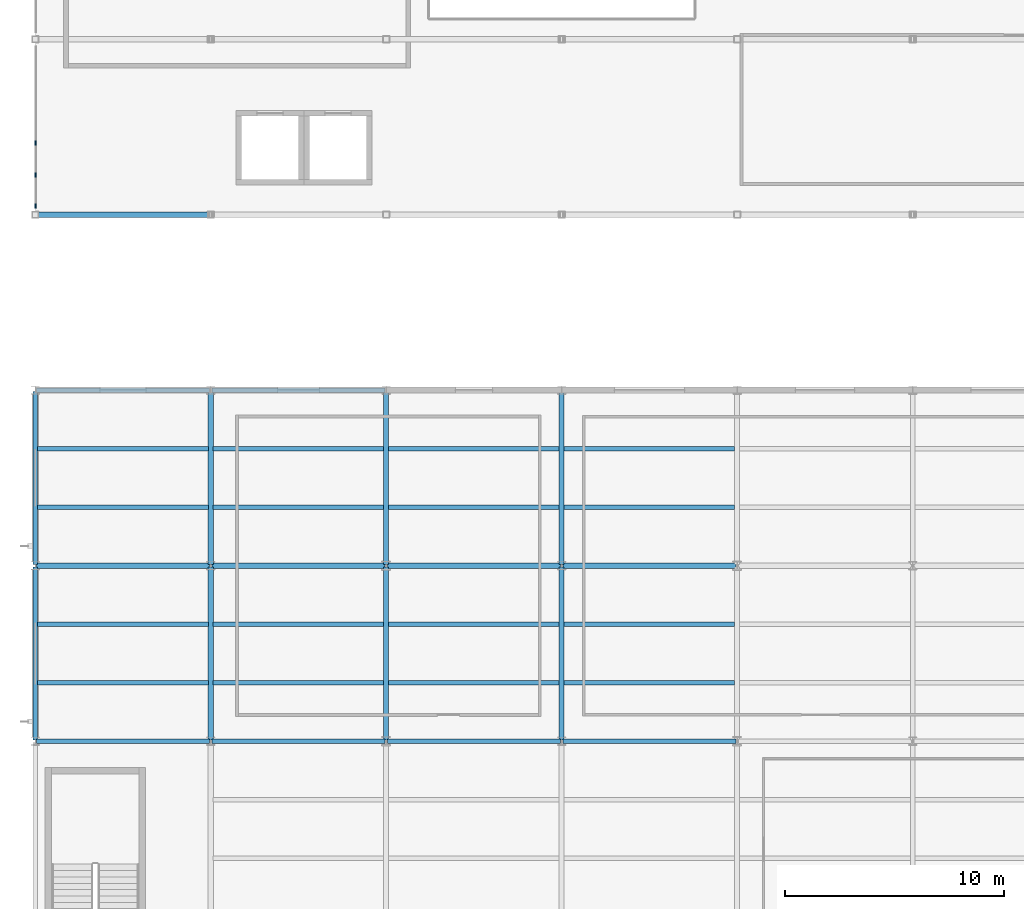
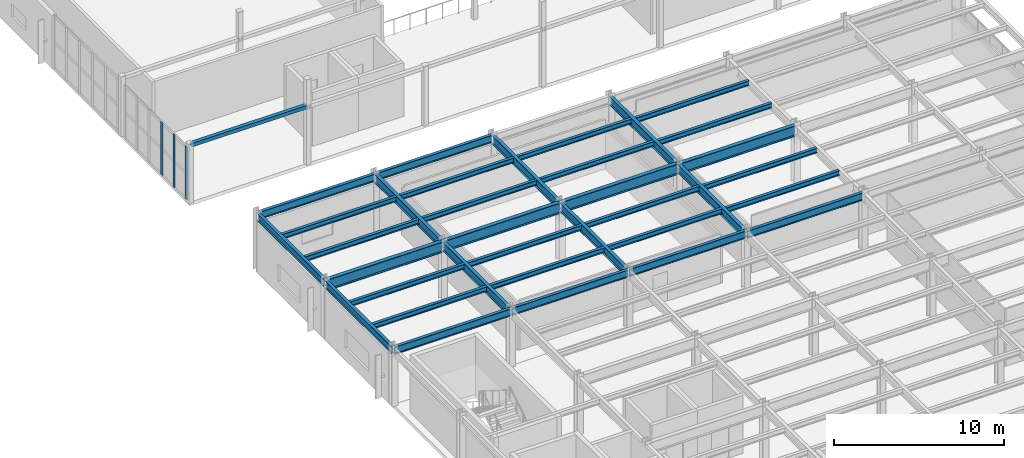
# One storey, part 18 of 83: 34 beams, 4 members, 1 element without a shape of its own.
"""IFC4 building model written with IfcOpenShell, lengths in metres."""

import ifcopenshell
import ifcopenshell.guid

model = None  # the IFC model being written
_history = None  # IfcOwnerHistory: only IFC2X3 demands one
_inside = {}  # id of a spatial element -> (the spatial element, [elements in it])
_under = {}  # id of a project, library or spatial element -> (it, [spatial elements below it])
_declared = {}  # id of a project -> (the project, [libraries it declares])
_typed = {}  # id of a type object -> (the type object, [elements of that type])
_made_of = {}  # id of a material, layer set ... -> (it, [elements and type objects made of it])


def new_model(schema):
    """Start an empty IFC model of exactly this schema.

    Asked for "IFC4X3", IfcOpenShell would pick the latest addendum, in which some entities
    have other attributes; the version numbers below select the first issue.
    IFC2X3 requires an IfcOwnerHistory on every rooted entity: one is made here for all.
    """
    global model, _history
    if schema == "IFC4X3":
        model = ifcopenshell.file(schema_version=(4, 3, 0, 0))
    else:
        model = ifcopenshell.file(schema=schema)
    _inside.clear()
    _under.clear()
    _declared.clear()
    _typed.clear()
    _made_of.clear()
    _history = None
    if model.schema == "IFC2X3":
        org = make("IfcOrganization", Name="unknown")
        user = make(
            "IfcPersonAndOrganization",
            ThePerson=make("IfcPerson", FamilyName="unknown"),
            TheOrganization=org,
        )
        app = make(
            "IfcApplication",
            ApplicationDeveloper=org,
            Version="unknown",
            ApplicationFullName="unknown",
            ApplicationIdentifier="unknown",
        )
        _history = make(
            "IfcOwnerHistory",
            OwningUser=user,
            OwningApplication=app,
            ChangeAction="ADDED",
            CreationDate=0,
        )
    return model


def make(cls, **values):
    """One entity of the class cls with the attributes given. An attribute that is None is left unset."""
    return model.create_entity(
        cls, **{name: value for name, value in values.items() if value is not None}
    )


def rooted(cls, **values):
    """An entity with a GlobalId (a new one), such as an element, a storey or a relation."""
    return make(cls, GlobalId=ifcopenshell.guid.new(), OwnerHistory=_history, **values)


def si_unit(unit_type, name, prefix=None):
    """IfcSIUnit, for example si_unit("LENGTHUNIT", "METRE", prefix="MILLI")."""
    return make("IfcSIUnit", UnitType=unit_type, Prefix=prefix, Name=name)


def assignment(units):
    """IfcUnitAssignment: the units of a project."""
    return None if units is None else make("IfcUnitAssignment", Units=units)


def point(xyz):
    """IfcCartesianPoint."""
    return None if xyz is None else make("IfcCartesianPoint", Coordinates=xyz)


def direction(xyz):
    """IfcDirection."""
    return None if xyz is None else make("IfcDirection", DirectionRatios=xyz)


def frame(location, z_axis=None, x_axis=None):
    """IfcAxis2Placement3D, a coordinate frame: its origin and axes. An axis left out is left unset."""
    return make(
        "IfcAxis2Placement3D",
        Location=point(location),
        Axis=direction(z_axis),
        RefDirection=direction(x_axis),
    )


def frame_2d(location, x_axis=None):
    """IfcAxis2Placement2D, a coordinate frame in the plane: its origin and x axis."""
    return make(
        "IfcAxis2Placement2D", Location=point(location), RefDirection=direction(x_axis)
    )


def origin():
    """The frame at (0, 0, 0) with its axes left unset."""
    return frame((0.0, 0.0, 0.0))


def origin_2d():
    """The frame at (0, 0) in the plane with its x axis left unset."""
    return frame_2d((0.0, 0.0))


def place(relative_to, where):
    """IfcLocalPlacement: puts the frame where relative to a parent placement (None: the world)."""
    return make(
        "IfcLocalPlacement", PlacementRelTo=relative_to, RelativePlacement=where
    )


def context(
    kind, dimensions, precision=None, world=None, true_north=None, identifier=None
):
    """IfcGeometricRepresentationContext, for example the 3D "Model" context."""
    return make(
        "IfcGeometricRepresentationContext",
        ContextIdentifier=identifier,
        ContextType=kind,
        CoordinateSpaceDimension=dimensions,
        Precision=precision,
        WorldCoordinateSystem=world,
        TrueNorth=true_north,
    )


def subcontext(parent, identifier, kind, view, scale=None):
    """IfcGeometricRepresentationSubContext, for example "Body" below "Model"."""
    return make(
        "IfcGeometricRepresentationSubContext",
        ContextIdentifier=identifier,
        ContextType=kind,
        ParentContext=parent,
        TargetScale=scale,
        TargetView=view,
    )


def project(units=None, contexts=None):
    """IfcProject with its units and contexts."""
    return rooted(
        "IfcProject",
        Name="project",
        RepresentationContexts=contexts,
        UnitsInContext=assignment(units),
    )


def spatial(cls, under=None, at=None, **own):
    """A site, building, storey or space (cls), placed at a placement, below another one or the project."""
    s = rooted(cls, ObjectPlacement=at, **own)
    if under is not None:
        _under.setdefault(under.id(), (under, []))[1].append(s)
    return s


def profile(cls, at=None, kind="AREA", **sizes):
    """A parametric profile (cls). Its sizes go by their IFC names, for example OverallWidth=200.0."""
    return make(cls, ProfileType=kind, Position=at, **sizes)


def rectangle(**sizes):
    """IfcRectangleProfileDef."""
    return profile("IfcRectangleProfileDef", **sizes)


def hollow_rectangle(**sizes):
    """IfcRectangleHollowProfileDef."""
    return profile("IfcRectangleHollowProfileDef", **sizes)


def i_section(**sizes):
    """IfcIShapeProfileDef."""
    return profile("IfcIShapeProfileDef", **sizes)


def extrude(swept, where, along, depth):
    """IfcExtrudedAreaSolid: the profile swept, set in the frame where, extruded along a direction by depth."""
    return make(
        "IfcExtrudedAreaSolid",
        SweptArea=swept,
        Position=where,
        ExtrudedDirection=direction(along),
        Depth=depth,
    )


def shape(context_of_items, identifier, shape_type, items):
    """IfcShapeRepresentation: the items that make up one representation, for example the "Body"."""
    return make(
        "IfcShapeRepresentation",
        ContextOfItems=context_of_items,
        RepresentationIdentifier=identifier,
        RepresentationType=shape_type,
        Items=items,
    )


def material(Name=None, Category=None):
    """IfcMaterial."""
    return make("IfcMaterial", Name=Name, Category=Category)


def material_profile(
    of_material, cross_section, Name=None, Category=None, Priority=None
):
    """IfcMaterialProfile: a cross section and its material."""
    return make(
        "IfcMaterialProfile",
        Name=Name,
        Material=of_material,
        Profile=cross_section,
        Priority=Priority,
        Category=Category,
    )


def profile_set(profiles, Name=None, composite=None):
    """IfcMaterialProfileSet."""
    return make(
        "IfcMaterialProfileSet",
        Name=Name,
        MaterialProfiles=profiles,
        CompositeProfile=composite,
    )


def made_of(thing, what):
    """Note that an element or type object is made of a material, layer set ...; save() writes the relation."""
    if what is not None:
        _made_of.setdefault(what.id(), (what, []))[1].append(thing)
    return thing


def type_object(cls, material=None, **own):
    """A type object (cls), such as IfcWallType, which elements share."""
    return made_of(rooted(cls, **own), material)


def element(
    cls,
    number,
    at=None,
    inside=None,
    cuts=None,
    type_object=None,
    material=None,
    context=None,
    identifier="Body",
    shape_type=None,
    held_by="IfcProductDefinitionShape",
    body=None,
    shapes=None,
    **own,
):
    """One element of the class cls, such as IfcWall. Its Tag is "e" and its number.

    at: its placement. inside: the storey or other place that contains it. cuts: it is an
    opening in that element (IfcRelVoidsElement). A single representation is given by context,
    identifier, shape_type and body (its items); several are given by shapes. held_by: the class
    of the entity that holds the representations. save() writes the other relations.
    """
    e = rooted(cls, Tag="e%d" % number, ObjectPlacement=at, **own)
    if body is not None:
        shapes = [shape(context, identifier, shape_type, body)]
    if shapes is not None:
        e.Representation = make(held_by, Representations=shapes)
    if inside is not None:
        _inside.setdefault(inside.id(), (inside, []))[1].append(e)
    if cuts is not None:
        rooted(
            "IfcRelVoidsElement", RelatingBuildingElement=cuts, RelatedOpeningElement=e
        )
    if type_object is not None:
        _typed.setdefault(type_object.id(), (type_object, []))[1].append(e)
    return made_of(e, material)


def aggregate(whole, parts):
    """IfcRelAggregates: a whole, such as a stair, and the parts it consists of."""
    return rooted("IfcRelAggregates", RelatingObject=whole, RelatedObjects=parts)


def save(model, path):
    """Write the relations noted so far, then the file.

    IfcRelAggregates (storeys below a building ...), IfcRelContainedInSpatialStructure (elements
    in a storey), IfcRelDefinesByType, IfcRelAssociatesMaterial and IfcRelDeclares: one each for
    every whole, place, type object, material and project.
    """
    for whole, parts in _under.values():
        aggregate(whole, parts)
    for where, things in _inside.values():
        rooted(
            "IfcRelContainedInSpatialStructure",
            RelatedElements=things,
            RelatingStructure=where,
        )
    for kind, things in _typed.values():
        rooted("IfcRelDefinesByType", RelatedObjects=things, RelatingType=kind)
    for what, things in _made_of.values():
        rooted("IfcRelAssociatesMaterial", RelatedObjects=things, RelatingMaterial=what)
    for by, libraries in _declared.values():
        rooted("IfcRelDeclares", RelatingContext=by, RelatedDefinitions=libraries)
    model.write(path)


model = new_model("IFC4")

# Units and contexts
model_context = context("Model", 3, precision=1e-05, world=origin(), true_north=direction((0.0, 1.0)))
body_context = subcontext(model_context, "Body", "Model", "MODEL_VIEW")
ifc_project = project(units=[si_unit("LENGTHUNIT", "METRE"), si_unit("AREAUNIT", "SQUARE_METRE"), si_unit("VOLUMEUNIT", "CUBIC_METRE"), si_unit("PLANEANGLEUNIT", "RADIAN"), si_unit("MASSUNIT", "GRAM", prefix="KILO")], contexts=[model_context])

# Site, building, storey
site_placement = place(None, origin())
site = spatial("IfcSite", under=ifc_project, at=site_placement, CompositionType="ELEMENT")
building_placement = place(site_placement, origin())
building = spatial("IfcBuilding", under=site, at=building_placement, Name="Drelvath Fold Interchange", CompositionType="ELEMENT")
storey_placement = place(building_placement, frame((0.0, 0.0, 11.199951171875)))
storey = spatial("IfcBuildingStorey", under=building, at=storey_placement, Name="L02", CompositionType="ELEMENT", Elevation=11.199951171875)

# Beams
ifc_material_1 = material(Name="Steel ASTM A992 Grade 50", Category="steel")
ifc_material_profile_1 = material_profile(ifc_material_1, i_section(OverallWidth=0.205078125, OverallDepth=0.35400390625, WebThickness=0.009521484375, FlangeThickness=0.016845703125, at=origin_2d()), Name="W14X53")
ifc_profile_set_1 = profile_set([ifc_material_profile_1], Name="Steel ASTM A992 Grade 50")
beam_type_1 = type_object("IfcBeamType", Name="BM-W14X53", PredefinedType="JOIST", material=ifc_profile_set_1)
for number, where, z_axis, x_axis, name in (
    (1, (4.10302734375, 37.6669921875, 3.9931640625), (1.0, 0.0, 0.0), (0.0, 1.0, 0.0), "L02 Secondary floor joist BM-W14X53"),
    (2, (4.10302734375, 40.3330078125, 3.9931640625), (1.0, 0.0, 0.0), (0.0, 1.0, 0.0), "L02 Secondary floor joist BM-W14X53"),
    (3, (4.10302734375, 45.6669921875, 3.9931640625), (1.0, 0.0, 0.0), (0.0, 1.0, 0.0), "L02 Secondary floor joist BM-W14X53"),
    (4, (4.10302734375, 48.3330078125, 3.9931640625), (1.0, 0.0, 0.0), (0.0, 1.0, 0.0), "L02 Secondary floor joist BM-W14X53"),
):
    element("IfcBeam", number, at=place(storey_placement, frame(where, z_axis=z_axis, x_axis=x_axis)), inside=storey, type_object=beam_type_1, Name=name, PredefinedType="JOIST", context=body_context, shape_type="SweptSolid", body=[
        extrude(i_section(OverallWidth=0.205078125, OverallDepth=0.35400390625, WebThickness=0.009521484375, FlangeThickness=0.016845703125, at=origin_2d()), origin(), (0.0, 0.0, 1.0), 7.783935546875),
    ])
for number, where, z_axis, x_axis, name in (
    (5, (12.113037109375, 37.6669921875, 3.9931640625), (1.0, 0.0, 0.0), (0.0, 1.0, 0.0), "L02 Secondary floor joist BM-W14X53"),
    (6, (12.113037109375, 40.3330078125, 3.9931640625), (1.0, 0.0, 0.0), (0.0, 1.0, 0.0), "L02 Secondary floor joist BM-W14X53"),
    (7, (12.113037109375, 45.6669921875, 3.9931640625), (1.0, 0.0, 0.0), (0.0, 1.0, 0.0), "L02 Secondary floor joist BM-W14X53"),
    (8, (12.113037109375, 48.3330078125, 3.9931640625), (1.0, 0.0, 0.0), (0.0, 1.0, 0.0), "L02 Secondary floor joist BM-W14X53"),
    (9, (20.113037109375, 37.6669921875, 3.9931640625), (1.0, 0.0, 0.0), (0.0, 1.0, 0.0), "L02 Secondary floor joist BM-W14X53"),
    (10, (20.113037109375, 40.3330078125, 3.9931640625), (1.0, 0.0, 0.0), (0.0, 1.0, 0.0), "L02 Secondary floor joist BM-W14X53"),
    (11, (20.113037109375, 45.6669921875, 3.9931640625), (1.0, 0.0, 0.0), (0.0, 1.0, 0.0), "L02 Secondary floor joist BM-W14X53"),
    (12, (20.113037109375, 48.3330078125, 3.9931640625), (1.0, 0.0, 0.0), (0.0, 1.0, 0.0), "L02 Secondary floor joist BM-W14X53"),
    (13, (28.113037109375, 37.6669921875, 3.943115234375), (1.0, 0.0, 0.0), (0.0, 1.0, 0.0), "L02 Secondary floor joist BM-W14X53"),
    (14, (28.113037109375, 40.3330078125, 3.943115234375), (1.0, 0.0, 0.0), (0.0, 1.0, 0.0), "L02 Secondary floor joist BM-W14X53"),
    (15, (28.113037109375, 45.6669921875, 3.943115234375), (1.0, 0.0, 0.0), (0.0, 1.0, 0.0), "L02 Secondary floor joist BM-W14X53"),
    (16, (28.113037109375, 48.3330078125, 3.943115234375), (1.0, 0.0, 0.0), (0.0, 1.0, 0.0), "L02 Secondary floor joist BM-W14X53"),
):
    element("IfcBeam", number, at=place(storey_placement, frame(where, z_axis=z_axis, x_axis=x_axis)), inside=storey, type_object=beam_type_1, Name=name, PredefinedType="JOIST", context=body_context, shape_type="SweptSolid", body=[
        extrude(i_section(OverallWidth=0.205078125, OverallDepth=0.35400390625, WebThickness=0.009521484375, FlangeThickness=0.016845703125, at=origin_2d()), origin(), (0.0, 0.0, 1.0), 7.77392578125),
    ])
ifc_material_profile_2 = material_profile(ifc_material_1, i_section(OverallWidth=0.2099609375, OverallDepth=0.537109375, WebThickness=0.010986328125, FlangeThickness=0.017333984375, at=origin_2d()), Name="W21X68")
ifc_profile_set_2 = profile_set([ifc_material_profile_2], Name="Steel ASTM A992 Grade 50")
beam_type_2 = type_object("IfcBeamType", Name="BM-W21X68", PredefinedType="SPANDREL", material=ifc_profile_set_2)
for number, where, z_axis, x_axis, name in (
    (17, (4.06005859375, 35.0, 3.901123046875), (1.0, 0.0, 0.0), (0.0, 1.0, 0.0), "L02 Primary X girder BM-W21X68"),
    (18, (12.06005859375, 35.0, 3.901123046875), (1.0, 0.0, 0.0), (0.0, 1.0, 0.0), "L02 Primary X girder BM-W21X68"),
    (19, (20.06005859375, 35.0, 3.901123046875), (1.0, 0.0, 0.0), (0.0, 1.0, 0.0), "L02 Primary X girder BM-W21X68"),
    (20, (28.06005859375, 35.0, 3.85205078125), (1.0, 0.0, 0.0), (0.0, 1.0, 0.0), "L02 Primary X girder BM-W21X68"),
    (21, (4.06005859375, 51.0, 3.901123046875), (1.0, 0.0, 0.0), (0.0, 1.0, 0.0), "L02 Primary X girder BM-W21X68"),
    (22, (12.06005859375, 51.0, 3.901123046875), (1.0, 0.0, 0.0), (0.0, 1.0, 0.0), "L02 Primary X girder BM-W21X68"),
    (23, (4.0, 35.06005859375, 3.901123046875), (0.0, 1.0, 0.0), (-1.0, 0.0, 0.0), "L02 Primary Y girder BM-W21X68"),
    (24, (4.0, 43.06005859375, 3.901123046875), (0.0, 1.0, 0.0), (-1.0, 0.0, 0.0), "L02 Primary Y girder BM-W21X68"),
):
    element("IfcBeam", number, at=place(storey_placement, frame(where, z_axis=z_axis, x_axis=x_axis)), inside=storey, type_object=beam_type_2, Name=name, PredefinedType="SPANDREL", context=body_context, shape_type="SweptSolid", body=[
        extrude(i_section(OverallWidth=0.2099609375, OverallDepth=0.537109375, WebThickness=0.010986328125, FlangeThickness=0.017333984375, at=origin_2d()), origin(), (0.0, 0.0, 1.0), 7.8798828125),
    ])
ifc_material_profile_3 = material_profile(ifc_material_1, i_section(OverallWidth=0.22998046875, OverallDepth=0.616943359375, WebThickness=0.01318359375, FlangeThickness=0.022216796875, at=origin_2d()), Name="W24X94")
ifc_profile_set_3 = profile_set([ifc_material_profile_3], Name="Steel ASTM A992 Grade 50")
beam_type_3 = type_object("IfcBeamType", Name="BM-W24X94", PredefinedType="BEAM", material=ifc_profile_set_3)
for number, where, z_axis, x_axis, name in (
    (25, (12.0, 35.06005859375, 3.861083984375), (0.0, 1.0, 0.0), (-1.0, 0.0, 0.0), "L02 Primary Y girder BM-W24X94"),
    (26, (12.0, 43.06005859375, 3.861083984375), (0.0, 1.0, 0.0), (-1.0, 0.0, 0.0), "L02 Primary Y girder BM-W24X94"),
    (27, (20.0, 35.06005859375, 3.861083984375), (0.0, 1.0, 0.0), (-1.0, 0.0, 0.0), "L02 Primary Y girder BM-W24X94"),
    (28, (20.0, 43.06005859375, 3.861083984375), (0.0, 1.0, 0.0), (-1.0, 0.0, 0.0), "L02 Primary Y girder BM-W24X94"),
    (29, (28.0, 35.06005859375, 3.861083984375), (0.0, 1.0, 0.0), (-1.0, 0.0, 0.0), "L02 Primary Y girder BM-W24X94"),
    (30, (28.0, 43.06005859375, 3.861083984375), (0.0, 1.0, 0.0), (-1.0, 0.0, 0.0), "L02 Primary Y girder BM-W24X94"),
):
    element("IfcBeam", number, at=place(storey_placement, frame(where, z_axis=z_axis, x_axis=x_axis)), inside=storey, type_object=beam_type_3, Name=name, PredefinedType="BEAM", context=body_context, shape_type="SweptSolid", body=[
        extrude(i_section(OverallWidth=0.22998046875, OverallDepth=0.616943359375, WebThickness=0.01318359375, FlangeThickness=0.022216796875, at=origin_2d()), origin(), (0.0, 0.0, 1.0), 7.8798828125),
    ])
ifc_material_profile_4 = material_profile(ifc_material_1, i_section(OverallWidth=0.26611328125, OverallDepth=0.779052734375, WebThickness=0.0166015625, FlangeThickness=0.030029296875, at=origin_2d()), Name="W30X148")
ifc_profile_set_4 = profile_set([ifc_material_profile_4], Name="Steel ASTM A992 Grade 50")
beam_type_4 = type_object("IfcBeamType", Name="BM-W30X148", PredefinedType="BEAM", material=ifc_profile_set_4)
for number, where, z_axis, x_axis, name in (
    (31, (4.06005859375, 43.0, 3.780029296875), (1.0, 0.0, 0.0), (0.0, 1.0, 0.0), "L02 Primary X girder BM-W30X148"),
    (32, (12.06005859375, 43.0, 3.780029296875), (1.0, 0.0, 0.0), (0.0, 1.0, 0.0), "L02 Primary X girder BM-W30X148"),
    (33, (20.06005859375, 43.0, 3.780029296875), (1.0, 0.0, 0.0), (0.0, 1.0, 0.0), "L02 Primary X girder BM-W30X148"),
    (34, (28.06005859375, 43.0, 3.73095703125), (1.0, 0.0, 0.0), (0.0, 1.0, 0.0), "L02 Primary X girder BM-W30X148"),
):
    element("IfcBeam", number, at=place(storey_placement, frame(where, z_axis=z_axis, x_axis=x_axis)), inside=storey, type_object=beam_type_4, Name=name, PredefinedType="BEAM", context=body_context, shape_type="SweptSolid", body=[
        extrude(i_section(OverallWidth=0.26611328125, OverallDepth=0.779052734375, WebThickness=0.0166015625, FlangeThickness=0.030029296875, at=origin_2d()), origin(), (0.0, 0.0, 1.0), 7.8798828125),
    ])

# Member
ifc_material_2 = material(Name="Steel ASTM A500 Grade C", Category="steel")
ifc_material_profile_5 = material_profile(ifc_material_2, hollow_rectangle(XDim=0.25390625, YDim=0.25390625, WallThickness=0.01171875, at=origin_2d()), Name="HSS10X10X1/2")
ifc_profile_set_5 = profile_set([ifc_material_profile_5], Name="Steel ASTM A500 Grade C")
member_type_1 = type_object("IfcMemberType", Name="FP-CHD254", PredefinedType="CHORD", material=ifc_profile_set_5)
member_1_placement = place(storey_placement, frame((4.080078125, 59.0, 4.150146484375), z_axis=(1.0, 0.0, 0.0), x_axis=(0.0, 1.0, 0.0)))
element("IfcMember", 35, at=member_1_placement, inside=storey, type_object=member_type_1, Name="L02 Folded-plate roof truss tie chord FP-CHD254", PredefinedType="CHORD", context=body_context, shape_type="SweptSolid", body=[
    extrude(hollow_rectangle(XDim=0.25390625, YDim=0.25390625, WallThickness=0.01171875, at=origin_2d()), origin(), (0.0, 0.0, 1.0), 7.83984375),
])

# Curtain wall, members
ifc_material_3 = material(Name="Anodized Aluminium 6063-T6", Category="aluminium")
curtain_wall_type = type_object("IfcCurtainWallType", Name="CW-CON-520", PredefinedType="USERDEFINED", material=ifc_material_3)
curtain_wall_placement = place(storey_placement, origin())
curtain_wall = element("IfcCurtainWall", 36, at=curtain_wall_placement, inside=storey, type_object=curtain_wall_type, Name="Curtain wall CW-V1-L02-W59", ObjectType="UNITISED CURTAIN WALL", PredefinedType="USERDEFINED")
ifc_material_profile_6 = material_profile(ifc_material_3, rectangle(XDim=0.06494140625, YDim=0.219970703125, at=origin_2d()), Name="AL-M 65x220")
ifc_profile_set_6 = profile_set([ifc_material_profile_6], Name="Anodized Aluminium 6063-T6")
member_type_2 = type_object("IfcMemberType", Name="ML-220", PredefinedType="MULLION", material=ifc_profile_set_6)
member_2_placement = place(storey_placement, frame((4.0, 59.39990234375, 0.0), z_axis=(0.0, 0.0, 1.0), x_axis=(1.0, 0.0, 0.0)))
member_2 = element("IfcMember", 37, at=member_2_placement, type_object=member_type_2, Name="CW-V1-L02-W59 mullion 0", PredefinedType="MULLION", context=body_context, shape_type="SweptSolid", body=[
    extrude(rectangle(XDim=0.06494140625, YDim=0.219970703125, at=origin_2d()), origin(), (0.0, 0.0, 1.0), 3.800048828125),
])
member_3_placement = place(storey_placement, frame((4.0, 60.81591796875, 0.0), z_axis=(0.0, 0.0, 1.0), x_axis=(1.0, 0.0, 0.0)))
member_3 = element("IfcMember", 38, at=member_3_placement, type_object=member_type_2, Name="CW-V1-L02-W59 mullion 1", PredefinedType="MULLION", context=body_context, shape_type="SweptSolid", body=[
    extrude(rectangle(XDim=0.06494140625, YDim=0.219970703125, at=origin_2d()), origin(), (0.0, 0.0, 1.0), 3.800048828125),
])
member_4_placement = place(storey_placement, frame((4.0, 62.27197265625, 0.0), z_axis=(0.0, 0.0, 1.0), x_axis=(1.0, 0.0, 0.0)))
member_4 = element("IfcMember", 39, at=member_4_placement, type_object=member_type_2, Name="CW-V1-L02-W59 mullion 2", PredefinedType="MULLION", context=body_context, shape_type="SweptSolid", body=[
    extrude(rectangle(XDim=0.06494140625, YDim=0.219970703125, at=origin_2d()), origin(), (0.0, 0.0, 1.0), 3.800048828125),
])
aggregate(curtain_wall, [member_2, member_3, member_4])

save(model, "model.ifc")
